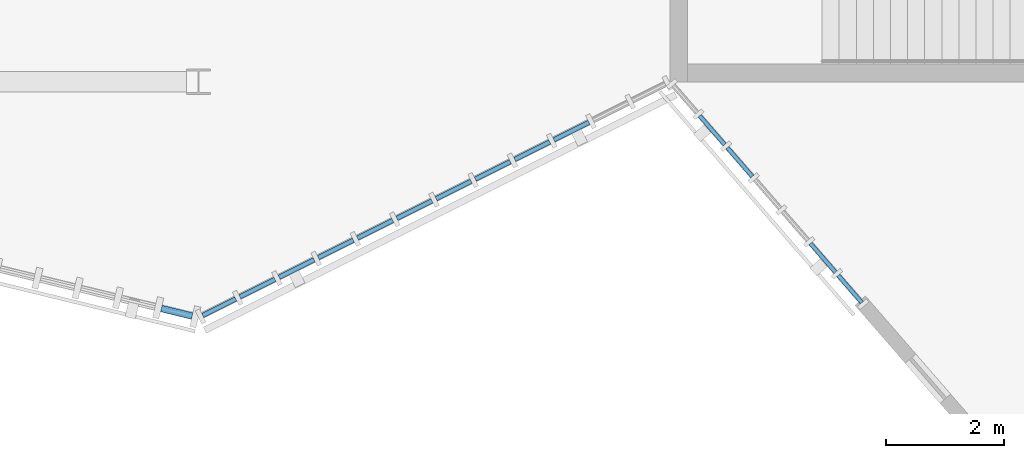
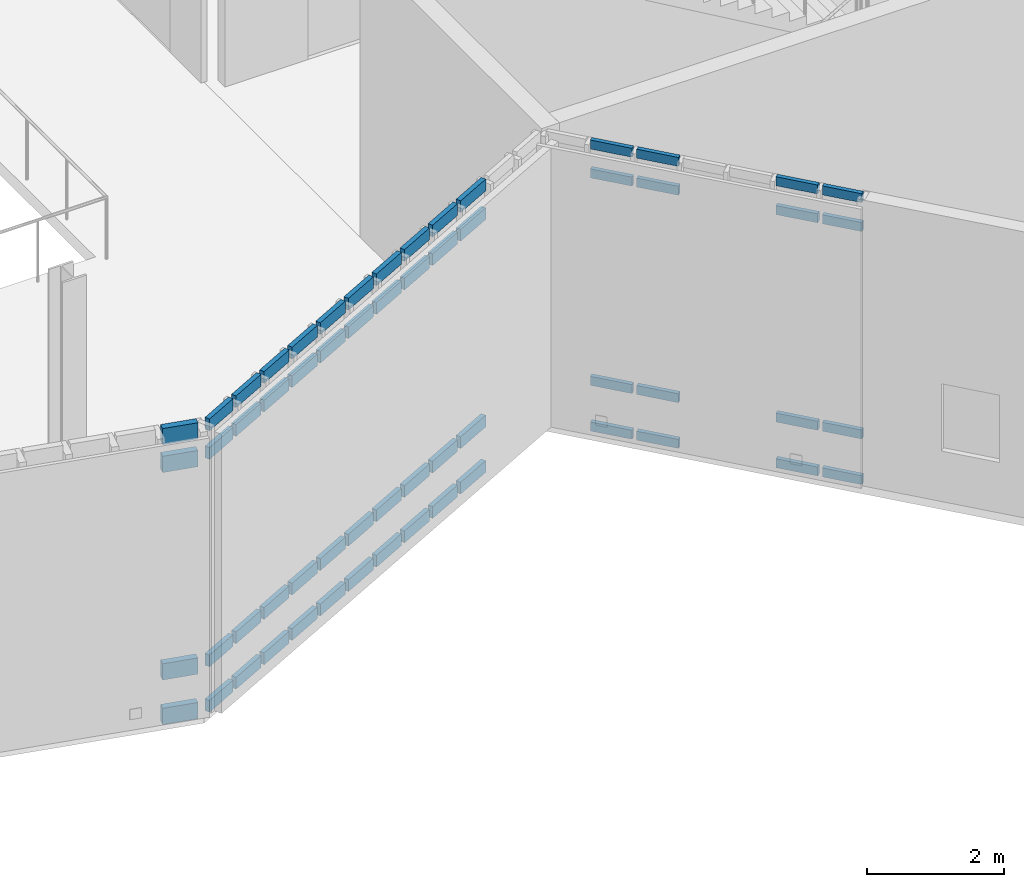
# One storey, part 52 of 127: 60 members, 3 elements without a shape of their own.
"""IFC4 building model written with IfcOpenShell, lengths in metres."""

from ifc_helpers import new_model, si_unit, direction, frame, origin, origin_2d, place, context, subcontext, project, spatial, rectangle, extrude, material, material_profile, profile_set, type_object, element, aggregate, save


model = new_model("IFC4")

# Units and contexts
model_context = context("Model", 3, precision=1e-05, world=origin(), true_north=direction((0.0, 1.0)))
body_context = subcontext(model_context, "Body", "Model", "MODEL_VIEW")
ifc_project = project(units=[si_unit("LENGTHUNIT", "METRE"), si_unit("AREAUNIT", "SQUARE_METRE"), si_unit("VOLUMEUNIT", "CUBIC_METRE"), si_unit("PLANEANGLEUNIT", "RADIAN"), si_unit("MASSUNIT", "GRAM", prefix="KILO")], contexts=[model_context])

# Site, building, storey
site_placement = place(None, origin())
site = spatial("IfcSite", under=ifc_project, at=site_placement, CompositionType="ELEMENT")
building_placement = place(site_placement, origin())
building = spatial("IfcBuilding", under=site, at=building_placement, Name="Larkvane Passage Sports Hall", CompositionType="ELEMENT")
storey_placement = place(building_placement, frame((0.0, 0.0, 5.39990234375)))
storey = spatial("IfcBuildingStorey", under=building, at=storey_placement, Name="L01", CompositionType="ELEMENT", Elevation=5.39990234375)

# Curtain wall, members
ifc_material_1 = material(Name="Thermally broken aluminium and low-E glazing", Category="aluminium")
curtain_wall_type_1 = type_object("IfcCurtainWallType", Name="CW-CLINIC", PredefinedType="USERDEFINED", material=ifc_material_1)
curtain_wall_1_placement = place(storey_placement, origin())
curtain_wall_1 = element("IfcCurtainWall", 1, at=curtain_wall_1_placement, inside=storey, type_object=curtain_wall_type_1, Name="Curtain wall CW5-L01-063", ObjectType="UNITISED CURTAIN WALL", PredefinedType="USERDEFINED")
ifc_material_2 = material(Name="Anodised aluminium 6063-T6", Category="aluminium")
ifc_material_profile_1 = material_profile(ifc_material_2, rectangle(XDim=0.110107421875, YDim=0.2900390625, at=origin_2d()), Name="ALU-TRN-110x290")
ifc_profile_set_1 = profile_set([ifc_material_profile_1], Name="Anodised aluminium 6063-T6")
member_type_1 = type_object("IfcMemberType", Name="CW-TRN-110x290", PredefinedType="USERDEFINED", material=ifc_profile_set_1)
member_1_placement = place(storey_placement, frame((109.89306640625, 18.826171875, 0.05517578125), z_axis=(-0.971566162385, 0.236768224447, 0.0), x_axis=(-0.236768224447, -0.971566162385, 0.0)))
member_1 = element("IfcMember", 2, at=member_1_placement, type_object=member_type_1, Name="CW-05 transom 1.1", ObjectType="TRANSOM", PredefinedType="USERDEFINED", context=body_context, shape_type="SweptSolid", body=[
    extrude(rectangle(XDim=0.110107421875, YDim=0.2900390625, at=origin_2d()), origin(), (0.0, 0.0, 1.0), 0.538330078125),
])
member_2_placement = place(storey_placement, frame((109.89306640625, 18.826171875, 0.85009765625), z_axis=(-0.971566162385, 0.236768224447, 0.0), x_axis=(-0.236768224447, -0.971566162385, 0.0)))
member_2 = element("IfcMember", 3, at=member_2_placement, type_object=member_type_1, Name="CW-05 transom 1.2", ObjectType="TRANSOM", PredefinedType="USERDEFINED", context=body_context, shape_type="SweptSolid", body=[
    extrude(rectangle(XDim=0.110107421875, YDim=0.2900390625, at=origin_2d()), origin(), (0.0, 0.0, 1.0), 0.538330078125),
])
member_3_placement = place(storey_placement, frame((109.89306640625, 18.826171875, 4.550048828125), z_axis=(-0.971566162385, 0.236768224447, 0.0), x_axis=(-0.236768224447, -0.971566162385, 0.0)))
member_3 = element("IfcMember", 4, at=member_3_placement, type_object=member_type_1, Name="CW-05 transom 1.3", ObjectType="TRANSOM", PredefinedType="USERDEFINED", context=body_context, shape_type="SweptSolid", body=[
    extrude(rectangle(XDim=0.110107421875, YDim=0.2900390625, at=origin_2d()), origin(), (0.0, 0.0, 1.0), 0.538330078125),
])
member_4_placement = place(storey_placement, frame((109.89306640625, 18.826171875, 5.045166015625), z_axis=(-0.971566162385, 0.236768224447, 0.0), x_axis=(-0.236768224447, -0.971566162385, 0.0)))
member_4 = element("IfcMember", 5, at=member_4_placement, type_object=member_type_1, Name="CW-05 transom 1.4", ObjectType="TRANSOM", PredefinedType="USERDEFINED", context=body_context, shape_type="SweptSolid", body=[
    extrude(rectangle(XDim=0.110107421875, YDim=0.2900390625, at=origin_2d()), origin(), (0.0, 0.0, 1.0), 0.538330078125),
])
aggregate(curtain_wall_1, [member_1, member_2, member_3, member_4])

curtain_wall_type_2 = type_object("IfcCurtainWallType", Name="CW-UNIT-VEIL", PredefinedType="USERDEFINED", material=ifc_material_1)
curtain_wall_2_placement = place(storey_placement, origin())
curtain_wall_2 = element("IfcCurtainWall", 6, at=curtain_wall_2_placement, inside=storey, type_object=curtain_wall_type_2, Name="Curtain wall CW5-L01-061", ObjectType="UNITISED CURTAIN WALL", PredefinedType="USERDEFINED")
ifc_material_profile_2 = material_profile(ifc_material_2, rectangle(XDim=0.070068359375, YDim=0.159912109375, at=origin_2d()), Name="ALU-TRN-70x160")
ifc_profile_set_2 = profile_set([ifc_material_profile_2], Name="Anodised aluminium 6063-T6")
member_type_2 = type_object("IfcMemberType", Name="CW-TRN-70x160", PredefinedType="USERDEFINED", material=ifc_profile_set_2)
member_5_placement = place(storey_placement, frame((121.254150390625, 19.052734375, 0.03515625), z_axis=(-0.655704605742, 0.755017529604, 0.0), x_axis=(-0.755017529604, -0.655704605742, 0.0)))
member_5 = element("IfcMember", 7, at=member_5_placement, type_object=member_type_2, Name="CW-02 transom 1.1", ObjectType="TRANSOM", PredefinedType="USERDEFINED", context=body_context, shape_type="SweptSolid", body=[
    extrude(rectangle(XDim=0.070068359375, YDim=0.159912109375, at=origin_2d()), origin(), (0.0, 0.0, 1.0), 0.612060546875),
])
member_6_placement = place(storey_placement, frame((121.254150390625, 19.052734375, 0.85009765625), z_axis=(-0.655704605742, 0.755017529604, 0.0), x_axis=(-0.755017529604, -0.655704605742, 0.0)))
member_6 = element("IfcMember", 8, at=member_6_placement, type_object=member_type_2, Name="CW-02 transom 1.2", ObjectType="TRANSOM", PredefinedType="USERDEFINED", context=body_context, shape_type="SweptSolid", body=[
    extrude(rectangle(XDim=0.070068359375, YDim=0.159912109375, at=origin_2d()), origin(), (0.0, 0.0, 1.0), 0.612060546875),
])
member_7_placement = place(storey_placement, frame((121.254150390625, 19.052734375, 4.550048828125), z_axis=(-0.655704605742, 0.755017529604, 0.0), x_axis=(-0.755017529604, -0.655704605742, 0.0)))
member_7 = element("IfcMember", 9, at=member_7_placement, type_object=member_type_2, Name="CW-02 transom 1.3", ObjectType="TRANSOM", PredefinedType="USERDEFINED", context=body_context, shape_type="SweptSolid", body=[
    extrude(rectangle(XDim=0.070068359375, YDim=0.159912109375, at=origin_2d()), origin(), (0.0, 0.0, 1.0), 0.612060546875),
])
member_8_placement = place(storey_placement, frame((121.254150390625, 19.052734375, 5.065185546875), z_axis=(-0.655704605742, 0.755017529604, 0.0), x_axis=(-0.755017529604, -0.655704605742, 0.0)))
member_8 = element("IfcMember", 10, at=member_8_placement, type_object=member_type_2, Name="CW-02 transom 1.4", ObjectType="TRANSOM", PredefinedType="USERDEFINED", context=body_context, shape_type="SweptSolid", body=[
    extrude(rectangle(XDim=0.070068359375, YDim=0.159912109375, at=origin_2d()), origin(), (0.0, 0.0, 1.0), 0.612060546875),
])
member_9_placement = place(storey_placement, frame((120.806884765625, 19.56787109375, 0.03515625), z_axis=(-0.655748916053, 0.754979045467, 0.0), x_axis=(-0.754979045467, -0.655748916053, 0.0)))
member_9 = element("IfcMember", 11, at=member_9_placement, type_object=member_type_2, Name="CW-02 transom 2.1", ObjectType="TRANSOM", PredefinedType="USERDEFINED", context=body_context, shape_type="SweptSolid", body=[
    extrude(rectangle(XDim=0.070068359375, YDim=0.159912109375, at=origin_2d()), origin(), (0.0, 0.0, 1.0), 0.64697265625),
])
member_10_placement = place(storey_placement, frame((120.806884765625, 19.56787109375, 0.85009765625), z_axis=(-0.655748916053, 0.754979045467, 0.0), x_axis=(-0.754979045467, -0.655748916053, 0.0)))
member_10 = element("IfcMember", 12, at=member_10_placement, type_object=member_type_2, Name="CW-02 transom 2.2", ObjectType="TRANSOM", PredefinedType="USERDEFINED", context=body_context, shape_type="SweptSolid", body=[
    extrude(rectangle(XDim=0.070068359375, YDim=0.159912109375, at=origin_2d()), origin(), (0.0, 0.0, 1.0), 0.64697265625),
])
member_11_placement = place(storey_placement, frame((120.806884765625, 19.56787109375, 4.550048828125), z_axis=(-0.655748916053, 0.754979045467, 0.0), x_axis=(-0.754979045467, -0.655748916053, 0.0)))
member_11 = element("IfcMember", 13, at=member_11_placement, type_object=member_type_2, Name="CW-02 transom 2.3", ObjectType="TRANSOM", PredefinedType="USERDEFINED", context=body_context, shape_type="SweptSolid", body=[
    extrude(rectangle(XDim=0.070068359375, YDim=0.159912109375, at=origin_2d()), origin(), (0.0, 0.0, 1.0), 0.64697265625),
])
member_12_placement = place(storey_placement, frame((120.806884765625, 19.56787109375, 5.065185546875), z_axis=(-0.655748916053, 0.754979045467, 0.0), x_axis=(-0.754979045467, -0.655748916053, 0.0)))
member_12 = element("IfcMember", 14, at=member_12_placement, type_object=member_type_2, Name="CW-02 transom 2.4", ObjectType="TRANSOM", PredefinedType="USERDEFINED", context=body_context, shape_type="SweptSolid", body=[
    extrude(rectangle(XDim=0.070068359375, YDim=0.159912109375, at=origin_2d()), origin(), (0.0, 0.0, 1.0), 0.64697265625),
])
member_13_placement = place(storey_placement, frame((119.396240234375, 21.192138671875, 0.03515625), z_axis=(-0.655748916053, 0.754979045467, 0.0), x_axis=(-0.754979045467, -0.655748916053, 0.0)))
member_13 = element("IfcMember", 15, at=member_13_placement, type_object=member_type_2, Name="CW-02 transom 5.1", ObjectType="TRANSOM", PredefinedType="USERDEFINED", context=body_context, shape_type="SweptSolid", body=[
    extrude(rectangle(XDim=0.070068359375, YDim=0.159912109375, at=origin_2d()), origin(), (0.0, 0.0, 1.0), 0.64697265625),
])
member_14_placement = place(storey_placement, frame((119.396240234375, 21.192138671875, 0.85009765625), z_axis=(-0.655748916053, 0.754979045467, 0.0), x_axis=(-0.754979045467, -0.655748916053, 0.0)))
member_14 = element("IfcMember", 16, at=member_14_placement, type_object=member_type_2, Name="CW-02 transom 5.2", ObjectType="TRANSOM", PredefinedType="USERDEFINED", context=body_context, shape_type="SweptSolid", body=[
    extrude(rectangle(XDim=0.070068359375, YDim=0.159912109375, at=origin_2d()), origin(), (0.0, 0.0, 1.0), 0.64697265625),
])
member_15_placement = place(storey_placement, frame((119.396240234375, 21.192138671875, 4.550048828125), z_axis=(-0.655748916053, 0.754979045467, 0.0), x_axis=(-0.754979045467, -0.655748916053, 0.0)))
member_15 = element("IfcMember", 17, at=member_15_placement, type_object=member_type_2, Name="CW-02 transom 5.3", ObjectType="TRANSOM", PredefinedType="USERDEFINED", context=body_context, shape_type="SweptSolid", body=[
    extrude(rectangle(XDim=0.070068359375, YDim=0.159912109375, at=origin_2d()), origin(), (0.0, 0.0, 1.0), 0.64697265625),
])
member_16_placement = place(storey_placement, frame((119.396240234375, 21.192138671875, 5.065185546875), z_axis=(-0.655748916053, 0.754979045467, 0.0), x_axis=(-0.754979045467, -0.655748916053, 0.0)))
member_16 = element("IfcMember", 18, at=member_16_placement, type_object=member_type_2, Name="CW-02 transom 5.4", ObjectType="TRANSOM", PredefinedType="USERDEFINED", context=body_context, shape_type="SweptSolid", body=[
    extrude(rectangle(XDim=0.070068359375, YDim=0.159912109375, at=origin_2d()), origin(), (0.0, 0.0, 1.0), 0.64697265625),
])
member_17_placement = place(storey_placement, frame((118.926025390625, 21.733642578125, 0.03515625), z_axis=(-0.655533777231, 0.755165853909, 0.0), x_axis=(-0.755165853909, -0.655533777231, 0.0)))
member_17 = element("IfcMember", 19, at=member_17_placement, type_object=member_type_2, Name="CW-02 transom 6.1", ObjectType="TRANSOM", PredefinedType="USERDEFINED", context=body_context, shape_type="SweptSolid", body=[
    extrude(rectangle(XDim=0.070068359375, YDim=0.159912109375, at=origin_2d()), origin(), (0.0, 0.0, 1.0), 0.64697265625),
])
member_18_placement = place(storey_placement, frame((118.926025390625, 21.733642578125, 0.85009765625), z_axis=(-0.655533777231, 0.755165853909, 0.0), x_axis=(-0.755165853909, -0.655533777231, 0.0)))
member_18 = element("IfcMember", 20, at=member_18_placement, type_object=member_type_2, Name="CW-02 transom 6.2", ObjectType="TRANSOM", PredefinedType="USERDEFINED", context=body_context, shape_type="SweptSolid", body=[
    extrude(rectangle(XDim=0.070068359375, YDim=0.159912109375, at=origin_2d()), origin(), (0.0, 0.0, 1.0), 0.64697265625),
])
member_19_placement = place(storey_placement, frame((118.926025390625, 21.733642578125, 4.550048828125), z_axis=(-0.655533777231, 0.755165853909, 0.0), x_axis=(-0.755165853909, -0.655533777231, 0.0)))
member_19 = element("IfcMember", 21, at=member_19_placement, type_object=member_type_2, Name="CW-02 transom 6.3", ObjectType="TRANSOM", PredefinedType="USERDEFINED", context=body_context, shape_type="SweptSolid", body=[
    extrude(rectangle(XDim=0.070068359375, YDim=0.159912109375, at=origin_2d()), origin(), (0.0, 0.0, 1.0), 0.64697265625),
])
member_20_placement = place(storey_placement, frame((118.926025390625, 21.733642578125, 5.065185546875), z_axis=(-0.655533777231, 0.755165853909, 0.0), x_axis=(-0.755165853909, -0.655533777231, 0.0)))
member_20 = element("IfcMember", 22, at=member_20_placement, type_object=member_type_2, Name="CW-02 transom 6.4", ObjectType="TRANSOM", PredefinedType="USERDEFINED", context=body_context, shape_type="SweptSolid", body=[
    extrude(rectangle(XDim=0.070068359375, YDim=0.159912109375, at=origin_2d()), origin(), (0.0, 0.0, 1.0), 0.64697265625),
])
aggregate(curtain_wall_2, [member_5, member_6, member_7, member_8, member_9, member_10, member_11, member_12, member_13, member_14, member_15, member_16, member_17, member_18, member_19, member_20])

curtain_wall_type_3 = type_object("IfcCurtainWallType", Name="CW-STICK-FOYER", PredefinedType="USERDEFINED", material=ifc_material_1)
curtain_wall_3_placement = place(storey_placement, origin())
curtain_wall_3 = element("IfcCurtainWall", 23, at=curtain_wall_3_placement, inside=storey, type_object=curtain_wall_type_3, Name="Curtain wall CW5-L01-062", ObjectType="STICK CURTAIN WALL", PredefinedType="USERDEFINED")
ifc_material_profile_3 = material_profile(ifc_material_2, rectangle(XDim=0.080078125, YDim=0.2099609375, at=origin_2d()), Name="ALU-TRN-80x210")
ifc_profile_set_3 = profile_set([ifc_material_profile_3], Name="Anodised aluminium 6063-T6")
member_type_3 = type_object("IfcMemberType", Name="CW-TRN-80x210", PredefinedType="USERDEFINED", material=ifc_profile_set_3)
member_21_placement = place(storey_placement, frame((116.62353515625, 22.11181640625, 0.0400390625), z_axis=(-0.894353720723, -0.447360505889, 0.0), x_axis=(0.447360505889, -0.894353720723, 0.0)))
member_21 = element("IfcMember", 24, at=member_21_placement, type_object=member_type_3, Name="CW-03 transom 3.1", ObjectType="TRANSOM", PredefinedType="USERDEFINED", context=body_context, shape_type="SweptSolid", body=[
    extrude(rectangle(XDim=0.080078125, YDim=0.2099609375, at=origin_2d()), origin(), (0.0, 0.0, 1.0), 0.664794921875),
])
member_22_placement = place(storey_placement, frame((116.62353515625, 22.11181640625, 0.85009765625), z_axis=(-0.894353720723, -0.447360505889, 0.0), x_axis=(0.447360505889, -0.894353720723, 0.0)))
member_22 = element("IfcMember", 25, at=member_22_placement, type_object=member_type_3, Name="CW-03 transom 3.2", ObjectType="TRANSOM", PredefinedType="USERDEFINED", context=body_context, shape_type="SweptSolid", body=[
    extrude(rectangle(XDim=0.080078125, YDim=0.2099609375, at=origin_2d()), origin(), (0.0, 0.0, 1.0), 0.664794921875),
])
member_23_placement = place(storey_placement, frame((116.62353515625, 22.11181640625, 4.550048828125), z_axis=(-0.894353720723, -0.447360505889, 0.0), x_axis=(0.447360505889, -0.894353720723, 0.0)))
member_23 = element("IfcMember", 26, at=member_23_placement, type_object=member_type_3, Name="CW-03 transom 3.3", ObjectType="TRANSOM", PredefinedType="USERDEFINED", context=body_context, shape_type="SweptSolid", body=[
    extrude(rectangle(XDim=0.080078125, YDim=0.2099609375, at=origin_2d()), origin(), (0.0, 0.0, 1.0), 0.664794921875),
])
member_24_placement = place(storey_placement, frame((116.62353515625, 22.11181640625, 5.06005859375), z_axis=(-0.894353720723, -0.447360505889, 0.0), x_axis=(0.447360505889, -0.894353720723, 0.0)))
member_24 = element("IfcMember", 27, at=member_24_placement, type_object=member_type_3, Name="CW-03 transom 3.4", ObjectType="TRANSOM", PredefinedType="USERDEFINED", context=body_context, shape_type="SweptSolid", body=[
    extrude(rectangle(XDim=0.080078125, YDim=0.2099609375, at=origin_2d()), origin(), (0.0, 0.0, 1.0), 0.664794921875),
])
member_25_placement = place(storey_placement, frame((115.95751953125, 21.77880859375, 0.0400390625), z_axis=(-0.894280178007, -0.447507500745, 0.0), x_axis=(0.447507500745, -0.894280178007, 0.0)))
member_25 = element("IfcMember", 28, at=member_25_placement, type_object=member_type_3, Name="CW-03 transom 4.1", ObjectType="TRANSOM", PredefinedType="USERDEFINED", context=body_context, shape_type="SweptSolid", body=[
    extrude(rectangle(XDim=0.080078125, YDim=0.2099609375, at=origin_2d()), origin(), (0.0, 0.0, 1.0), 0.66455078125),
])
member_26_placement = place(storey_placement, frame((115.95751953125, 21.77880859375, 0.85009765625), z_axis=(-0.894280178007, -0.447507500745, 0.0), x_axis=(0.447507500745, -0.894280178007, 0.0)))
member_26 = element("IfcMember", 29, at=member_26_placement, type_object=member_type_3, Name="CW-03 transom 4.2", ObjectType="TRANSOM", PredefinedType="USERDEFINED", context=body_context, shape_type="SweptSolid", body=[
    extrude(rectangle(XDim=0.080078125, YDim=0.2099609375, at=origin_2d()), origin(), (0.0, 0.0, 1.0), 0.66455078125),
])
member_27_placement = place(storey_placement, frame((115.95751953125, 21.77880859375, 4.550048828125), z_axis=(-0.894280178007, -0.447507500745, 0.0), x_axis=(0.447507500745, -0.894280178007, 0.0)))
member_27 = element("IfcMember", 30, at=member_27_placement, type_object=member_type_3, Name="CW-03 transom 4.3", ObjectType="TRANSOM", PredefinedType="USERDEFINED", context=body_context, shape_type="SweptSolid", body=[
    extrude(rectangle(XDim=0.080078125, YDim=0.2099609375, at=origin_2d()), origin(), (0.0, 0.0, 1.0), 0.66455078125),
])
member_28_placement = place(storey_placement, frame((115.95751953125, 21.77880859375, 5.06005859375), z_axis=(-0.894280178007, -0.447507500745, 0.0), x_axis=(0.447507500745, -0.894280178007, 0.0)))
member_28 = element("IfcMember", 31, at=member_28_placement, type_object=member_type_3, Name="CW-03 transom 4.4", ObjectType="TRANSOM", PredefinedType="USERDEFINED", context=body_context, shape_type="SweptSolid", body=[
    extrude(rectangle(XDim=0.080078125, YDim=0.2099609375, at=origin_2d()), origin(), (0.0, 0.0, 1.0), 0.66455078125),
])
member_29_placement = place(storey_placement, frame((115.29150390625, 21.44580078125, 0.0400390625), z_axis=(-0.894427191, -0.4472135955, 0.0), x_axis=(0.4472135955, -0.894427191, 0.0)))
member_29 = element("IfcMember", 32, at=member_29_placement, type_object=member_type_3, Name="CW-03 transom 5.1", ObjectType="TRANSOM", PredefinedType="USERDEFINED", context=body_context, shape_type="SweptSolid", body=[
    extrude(rectangle(XDim=0.080078125, YDim=0.2099609375, at=origin_2d()), origin(), (0.0, 0.0, 1.0), 0.664306640625),
])
member_30_placement = place(storey_placement, frame((115.29150390625, 21.44580078125, 0.85009765625), z_axis=(-0.894427191, -0.4472135955, 0.0), x_axis=(0.4472135955, -0.894427191, 0.0)))
member_30 = element("IfcMember", 33, at=member_30_placement, type_object=member_type_3, Name="CW-03 transom 5.2", ObjectType="TRANSOM", PredefinedType="USERDEFINED", context=body_context, shape_type="SweptSolid", body=[
    extrude(rectangle(XDim=0.080078125, YDim=0.2099609375, at=origin_2d()), origin(), (0.0, 0.0, 1.0), 0.664306640625),
])
member_31_placement = place(storey_placement, frame((115.29150390625, 21.44580078125, 4.550048828125), z_axis=(-0.894427191, -0.4472135955, 0.0), x_axis=(0.4472135955, -0.894427191, 0.0)))
member_31 = element("IfcMember", 34, at=member_31_placement, type_object=member_type_3, Name="CW-03 transom 5.3", ObjectType="TRANSOM", PredefinedType="USERDEFINED", context=body_context, shape_type="SweptSolid", body=[
    extrude(rectangle(XDim=0.080078125, YDim=0.2099609375, at=origin_2d()), origin(), (0.0, 0.0, 1.0), 0.664306640625),
])
member_32_placement = place(storey_placement, frame((115.29150390625, 21.44580078125, 5.06005859375), z_axis=(-0.894427191, -0.4472135955, 0.0), x_axis=(0.4472135955, -0.894427191, 0.0)))
member_32 = element("IfcMember", 35, at=member_32_placement, type_object=member_type_3, Name="CW-03 transom 5.4", ObjectType="TRANSOM", PredefinedType="USERDEFINED", context=body_context, shape_type="SweptSolid", body=[
    extrude(rectangle(XDim=0.080078125, YDim=0.2099609375, at=origin_2d()), origin(), (0.0, 0.0, 1.0), 0.664306640625),
])
member_33_placement = place(storey_placement, frame((114.625732421875, 21.11279296875, 0.0400390625), z_axis=(-0.894500649209, -0.447066648907, 0.0), x_axis=(0.447066648907, -0.894500649209, 0.0)))
member_33 = element("IfcMember", 36, at=member_33_placement, type_object=member_type_3, Name="CW-03 transom 6.1", ObjectType="TRANSOM", PredefinedType="USERDEFINED", context=body_context, shape_type="SweptSolid", body=[
    extrude(rectangle(XDim=0.080078125, YDim=0.2099609375, at=origin_2d()), origin(), (0.0, 0.0, 1.0), 0.66455078125),
])
member_34_placement = place(storey_placement, frame((114.625732421875, 21.11279296875, 0.85009765625), z_axis=(-0.894500649209, -0.447066648907, 0.0), x_axis=(0.447066648907, -0.894500649209, 0.0)))
member_34 = element("IfcMember", 37, at=member_34_placement, type_object=member_type_3, Name="CW-03 transom 6.2", ObjectType="TRANSOM", PredefinedType="USERDEFINED", context=body_context, shape_type="SweptSolid", body=[
    extrude(rectangle(XDim=0.080078125, YDim=0.2099609375, at=origin_2d()), origin(), (0.0, 0.0, 1.0), 0.66455078125),
])
member_35_placement = place(storey_placement, frame((114.625732421875, 21.11279296875, 4.550048828125), z_axis=(-0.894500649209, -0.447066648907, 0.0), x_axis=(0.447066648907, -0.894500649209, 0.0)))
member_35 = element("IfcMember", 38, at=member_35_placement, type_object=member_type_3, Name="CW-03 transom 6.3", ObjectType="TRANSOM", PredefinedType="USERDEFINED", context=body_context, shape_type="SweptSolid", body=[
    extrude(rectangle(XDim=0.080078125, YDim=0.2099609375, at=origin_2d()), origin(), (0.0, 0.0, 1.0), 0.66455078125),
])
member_36_placement = place(storey_placement, frame((114.625732421875, 21.11279296875, 5.06005859375), z_axis=(-0.894500649209, -0.447066648907, 0.0), x_axis=(0.447066648907, -0.894500649209, 0.0)))
member_36 = element("IfcMember", 39, at=member_36_placement, type_object=member_type_3, Name="CW-03 transom 6.4", ObjectType="TRANSOM", PredefinedType="USERDEFINED", context=body_context, shape_type="SweptSolid", body=[
    extrude(rectangle(XDim=0.080078125, YDim=0.2099609375, at=origin_2d()), origin(), (0.0, 0.0, 1.0), 0.66455078125),
])
member_37_placement = place(storey_placement, frame((113.959716796875, 20.77978515625, 0.0400390625), z_axis=(-0.894427191, -0.4472135955, 0.0), x_axis=(0.4472135955, -0.894427191, 0.0)))
member_37 = element("IfcMember", 40, at=member_37_placement, type_object=member_type_3, Name="CW-03 transom 7.1", ObjectType="TRANSOM", PredefinedType="USERDEFINED", context=body_context, shape_type="SweptSolid", body=[
    extrude(rectangle(XDim=0.080078125, YDim=0.2099609375, at=origin_2d()), origin(), (0.0, 0.0, 1.0), 0.664306640625),
])
member_38_placement = place(storey_placement, frame((113.959716796875, 20.77978515625, 0.85009765625), z_axis=(-0.894427191, -0.4472135955, 0.0), x_axis=(0.4472135955, -0.894427191, 0.0)))
member_38 = element("IfcMember", 41, at=member_38_placement, type_object=member_type_3, Name="CW-03 transom 7.2", ObjectType="TRANSOM", PredefinedType="USERDEFINED", context=body_context, shape_type="SweptSolid", body=[
    extrude(rectangle(XDim=0.080078125, YDim=0.2099609375, at=origin_2d()), origin(), (0.0, 0.0, 1.0), 0.664306640625),
])
member_39_placement = place(storey_placement, frame((113.959716796875, 20.77978515625, 4.550048828125), z_axis=(-0.894427191, -0.4472135955, 0.0), x_axis=(0.4472135955, -0.894427191, 0.0)))
member_39 = element("IfcMember", 42, at=member_39_placement, type_object=member_type_3, Name="CW-03 transom 7.3", ObjectType="TRANSOM", PredefinedType="USERDEFINED", context=body_context, shape_type="SweptSolid", body=[
    extrude(rectangle(XDim=0.080078125, YDim=0.2099609375, at=origin_2d()), origin(), (0.0, 0.0, 1.0), 0.664306640625),
])
member_40_placement = place(storey_placement, frame((113.959716796875, 20.77978515625, 5.06005859375), z_axis=(-0.894427191, -0.4472135955, 0.0), x_axis=(0.4472135955, -0.894427191, 0.0)))
member_40 = element("IfcMember", 43, at=member_40_placement, type_object=member_type_3, Name="CW-03 transom 7.4", ObjectType="TRANSOM", PredefinedType="USERDEFINED", context=body_context, shape_type="SweptSolid", body=[
    extrude(rectangle(XDim=0.080078125, YDim=0.2099609375, at=origin_2d()), origin(), (0.0, 0.0, 1.0), 0.664306640625),
])
member_41_placement = place(storey_placement, frame((113.2939453125, 20.447021484375, 0.0400390625), z_axis=(-0.894353720723, -0.447360505889, 0.0), x_axis=(0.447360505889, -0.894353720723, 0.0)))
member_41 = element("IfcMember", 44, at=member_41_placement, type_object=member_type_3, Name="CW-03 transom 8.1", ObjectType="TRANSOM", PredefinedType="USERDEFINED", context=body_context, shape_type="SweptSolid", body=[
    extrude(rectangle(XDim=0.080078125, YDim=0.2099609375, at=origin_2d()), origin(), (0.0, 0.0, 1.0), 0.664794921875),
])
member_42_placement = place(storey_placement, frame((113.2939453125, 20.447021484375, 0.85009765625), z_axis=(-0.894353720723, -0.447360505889, 0.0), x_axis=(0.447360505889, -0.894353720723, 0.0)))
member_42 = element("IfcMember", 45, at=member_42_placement, type_object=member_type_3, Name="CW-03 transom 8.2", ObjectType="TRANSOM", PredefinedType="USERDEFINED", context=body_context, shape_type="SweptSolid", body=[
    extrude(rectangle(XDim=0.080078125, YDim=0.2099609375, at=origin_2d()), origin(), (0.0, 0.0, 1.0), 0.664794921875),
])
member_43_placement = place(storey_placement, frame((113.2939453125, 20.447021484375, 4.550048828125), z_axis=(-0.894353720723, -0.447360505889, 0.0), x_axis=(0.447360505889, -0.894353720723, 0.0)))
member_43 = element("IfcMember", 46, at=member_43_placement, type_object=member_type_3, Name="CW-03 transom 8.3", ObjectType="TRANSOM", PredefinedType="USERDEFINED", context=body_context, shape_type="SweptSolid", body=[
    extrude(rectangle(XDim=0.080078125, YDim=0.2099609375, at=origin_2d()), origin(), (0.0, 0.0, 1.0), 0.664794921875),
])
member_44_placement = place(storey_placement, frame((113.2939453125, 20.447021484375, 5.06005859375), z_axis=(-0.894353720723, -0.447360505889, 0.0), x_axis=(0.447360505889, -0.894353720723, 0.0)))
member_44 = element("IfcMember", 47, at=member_44_placement, type_object=member_type_3, Name="CW-03 transom 8.4", ObjectType="TRANSOM", PredefinedType="USERDEFINED", context=body_context, shape_type="SweptSolid", body=[
    extrude(rectangle(XDim=0.080078125, YDim=0.2099609375, at=origin_2d()), origin(), (0.0, 0.0, 1.0), 0.664794921875),
])
member_45_placement = place(storey_placement, frame((112.6279296875, 20.114013671875, 0.0400390625), z_axis=(-0.894353720723, -0.447360505889, 0.0), x_axis=(0.447360505889, -0.894353720723, 0.0)))
member_45 = element("IfcMember", 48, at=member_45_placement, type_object=member_type_3, Name="CW-03 transom 9.1", ObjectType="TRANSOM", PredefinedType="USERDEFINED", context=body_context, shape_type="SweptSolid", body=[
    extrude(rectangle(XDim=0.080078125, YDim=0.2099609375, at=origin_2d()), origin(), (0.0, 0.0, 1.0), 0.664794921875),
])
member_46_placement = place(storey_placement, frame((112.6279296875, 20.114013671875, 0.85009765625), z_axis=(-0.894353720723, -0.447360505889, 0.0), x_axis=(0.447360505889, -0.894353720723, 0.0)))
member_46 = element("IfcMember", 49, at=member_46_placement, type_object=member_type_3, Name="CW-03 transom 9.2", ObjectType="TRANSOM", PredefinedType="USERDEFINED", context=body_context, shape_type="SweptSolid", body=[
    extrude(rectangle(XDim=0.080078125, YDim=0.2099609375, at=origin_2d()), origin(), (0.0, 0.0, 1.0), 0.664794921875),
])
member_47_placement = place(storey_placement, frame((112.6279296875, 20.114013671875, 4.550048828125), z_axis=(-0.894353720723, -0.447360505889, 0.0), x_axis=(0.447360505889, -0.894353720723, 0.0)))
member_47 = element("IfcMember", 50, at=member_47_placement, type_object=member_type_3, Name="CW-03 transom 9.3", ObjectType="TRANSOM", PredefinedType="USERDEFINED", context=body_context, shape_type="SweptSolid", body=[
    extrude(rectangle(XDim=0.080078125, YDim=0.2099609375, at=origin_2d()), origin(), (0.0, 0.0, 1.0), 0.664794921875),
])
member_48_placement = place(storey_placement, frame((112.6279296875, 20.114013671875, 5.06005859375), z_axis=(-0.894353720723, -0.447360505889, 0.0), x_axis=(0.447360505889, -0.894353720723, 0.0)))
member_48 = element("IfcMember", 51, at=member_48_placement, type_object=member_type_3, Name="CW-03 transom 9.4", ObjectType="TRANSOM", PredefinedType="USERDEFINED", context=body_context, shape_type="SweptSolid", body=[
    extrude(rectangle(XDim=0.080078125, YDim=0.2099609375, at=origin_2d()), origin(), (0.0, 0.0, 1.0), 0.664794921875),
])
member_49_placement = place(storey_placement, frame((111.9619140625, 19.781005859375, 0.0400390625), z_axis=(-0.894427191, -0.4472135955, 0.0), x_axis=(0.4472135955, -0.894427191, 0.0)))
member_49 = element("IfcMember", 52, at=member_49_placement, type_object=member_type_3, Name="CW-03 transom 10.1", ObjectType="TRANSOM", PredefinedType="USERDEFINED", context=body_context, shape_type="SweptSolid", body=[
    extrude(rectangle(XDim=0.080078125, YDim=0.2099609375, at=origin_2d()), origin(), (0.0, 0.0, 1.0), 0.664306640625),
])
member_50_placement = place(storey_placement, frame((111.9619140625, 19.781005859375, 0.85009765625), z_axis=(-0.894427191, -0.4472135955, 0.0), x_axis=(0.4472135955, -0.894427191, 0.0)))
member_50 = element("IfcMember", 53, at=member_50_placement, type_object=member_type_3, Name="CW-03 transom 10.2", ObjectType="TRANSOM", PredefinedType="USERDEFINED", context=body_context, shape_type="SweptSolid", body=[
    extrude(rectangle(XDim=0.080078125, YDim=0.2099609375, at=origin_2d()), origin(), (0.0, 0.0, 1.0), 0.664306640625),
])
member_51_placement = place(storey_placement, frame((111.9619140625, 19.781005859375, 4.550048828125), z_axis=(-0.894427191, -0.4472135955, 0.0), x_axis=(0.4472135955, -0.894427191, 0.0)))
member_51 = element("IfcMember", 54, at=member_51_placement, type_object=member_type_3, Name="CW-03 transom 10.3", ObjectType="TRANSOM", PredefinedType="USERDEFINED", context=body_context, shape_type="SweptSolid", body=[
    extrude(rectangle(XDim=0.080078125, YDim=0.2099609375, at=origin_2d()), origin(), (0.0, 0.0, 1.0), 0.664306640625),
])
member_52_placement = place(storey_placement, frame((111.9619140625, 19.781005859375, 5.06005859375), z_axis=(-0.894427191, -0.4472135955, 0.0), x_axis=(0.4472135955, -0.894427191, 0.0)))
member_52 = element("IfcMember", 55, at=member_52_placement, type_object=member_type_3, Name="CW-03 transom 10.4", ObjectType="TRANSOM", PredefinedType="USERDEFINED", context=body_context, shape_type="SweptSolid", body=[
    extrude(rectangle(XDim=0.080078125, YDim=0.2099609375, at=origin_2d()), origin(), (0.0, 0.0, 1.0), 0.664306640625),
])
member_53_placement = place(storey_placement, frame((111.296142578125, 19.447998046875, 0.0400390625), z_axis=(-0.894500649209, -0.447066648907, 0.0), x_axis=(0.447066648907, -0.894500649209, 0.0)))
member_53 = element("IfcMember", 56, at=member_53_placement, type_object=member_type_3, Name="CW-03 transom 11.1", ObjectType="TRANSOM", PredefinedType="USERDEFINED", context=body_context, shape_type="SweptSolid", body=[
    extrude(rectangle(XDim=0.080078125, YDim=0.2099609375, at=origin_2d()), origin(), (0.0, 0.0, 1.0), 0.66455078125),
])
member_54_placement = place(storey_placement, frame((111.296142578125, 19.447998046875, 0.85009765625), z_axis=(-0.894500649209, -0.447066648907, 0.0), x_axis=(0.447066648907, -0.894500649209, 0.0)))
member_54 = element("IfcMember", 57, at=member_54_placement, type_object=member_type_3, Name="CW-03 transom 11.2", ObjectType="TRANSOM", PredefinedType="USERDEFINED", context=body_context, shape_type="SweptSolid", body=[
    extrude(rectangle(XDim=0.080078125, YDim=0.2099609375, at=origin_2d()), origin(), (0.0, 0.0, 1.0), 0.66455078125),
])
member_55_placement = place(storey_placement, frame((111.296142578125, 19.447998046875, 4.550048828125), z_axis=(-0.894500649209, -0.447066648907, 0.0), x_axis=(0.447066648907, -0.894500649209, 0.0)))
member_55 = element("IfcMember", 58, at=member_55_placement, type_object=member_type_3, Name="CW-03 transom 11.3", ObjectType="TRANSOM", PredefinedType="USERDEFINED", context=body_context, shape_type="SweptSolid", body=[
    extrude(rectangle(XDim=0.080078125, YDim=0.2099609375, at=origin_2d()), origin(), (0.0, 0.0, 1.0), 0.66455078125),
])
member_56_placement = place(storey_placement, frame((111.296142578125, 19.447998046875, 5.06005859375), z_axis=(-0.894500649209, -0.447066648907, 0.0), x_axis=(0.447066648907, -0.894500649209, 0.0)))
member_56 = element("IfcMember", 59, at=member_56_placement, type_object=member_type_3, Name="CW-03 transom 11.4", ObjectType="TRANSOM", PredefinedType="USERDEFINED", context=body_context, shape_type="SweptSolid", body=[
    extrude(rectangle(XDim=0.080078125, YDim=0.2099609375, at=origin_2d()), origin(), (0.0, 0.0, 1.0), 0.66455078125),
])
member_57_placement = place(storey_placement, frame((110.630126953125, 19.114990234375, 0.0400390625), z_axis=(-0.894427191, -0.4472135955, 0.0), x_axis=(0.4472135955, -0.894427191, 0.0)))
member_57 = element("IfcMember", 60, at=member_57_placement, type_object=member_type_3, Name="CW-03 transom 12.1", ObjectType="TRANSOM", PredefinedType="USERDEFINED", context=body_context, shape_type="SweptSolid", body=[
    extrude(rectangle(XDim=0.080078125, YDim=0.2099609375, at=origin_2d()), origin(), (0.0, 0.0, 1.0), 0.62451171875),
])
member_58_placement = place(storey_placement, frame((110.630126953125, 19.114990234375, 0.85009765625), z_axis=(-0.894427191, -0.4472135955, 0.0), x_axis=(0.4472135955, -0.894427191, 0.0)))
member_58 = element("IfcMember", 61, at=member_58_placement, type_object=member_type_3, Name="CW-03 transom 12.2", ObjectType="TRANSOM", PredefinedType="USERDEFINED", context=body_context, shape_type="SweptSolid", body=[
    extrude(rectangle(XDim=0.080078125, YDim=0.2099609375, at=origin_2d()), origin(), (0.0, 0.0, 1.0), 0.62451171875),
])
member_59_placement = place(storey_placement, frame((110.630126953125, 19.114990234375, 4.550048828125), z_axis=(-0.894427191, -0.4472135955, 0.0), x_axis=(0.4472135955, -0.894427191, 0.0)))
member_59 = element("IfcMember", 62, at=member_59_placement, type_object=member_type_3, Name="CW-03 transom 12.3", ObjectType="TRANSOM", PredefinedType="USERDEFINED", context=body_context, shape_type="SweptSolid", body=[
    extrude(rectangle(XDim=0.080078125, YDim=0.2099609375, at=origin_2d()), origin(), (0.0, 0.0, 1.0), 0.62451171875),
])
member_60_placement = place(storey_placement, frame((110.630126953125, 19.114990234375, 5.06005859375), z_axis=(-0.894427191, -0.4472135955, 0.0), x_axis=(0.4472135955, -0.894427191, 0.0)))
member_60 = element("IfcMember", 63, at=member_60_placement, type_object=member_type_3, Name="CW-03 transom 12.4", ObjectType="TRANSOM", PredefinedType="USERDEFINED", context=body_context, shape_type="SweptSolid", body=[
    extrude(rectangle(XDim=0.080078125, YDim=0.2099609375, at=origin_2d()), origin(), (0.0, 0.0, 1.0), 0.62451171875),
])
aggregate(curtain_wall_3, [member_21, member_22, member_23, member_24, member_25, member_26, member_27, member_28, member_29, member_30, member_31, member_32, member_33, member_34, member_35, member_36, member_37, member_38, member_39, member_40, member_41, member_42, member_43, member_44, member_45, member_46, member_47, member_48, member_49, member_50, member_51, member_52, member_53, member_54, member_55, member_56, member_57, member_58, member_59, member_60])

save(model, "model.ifc")
